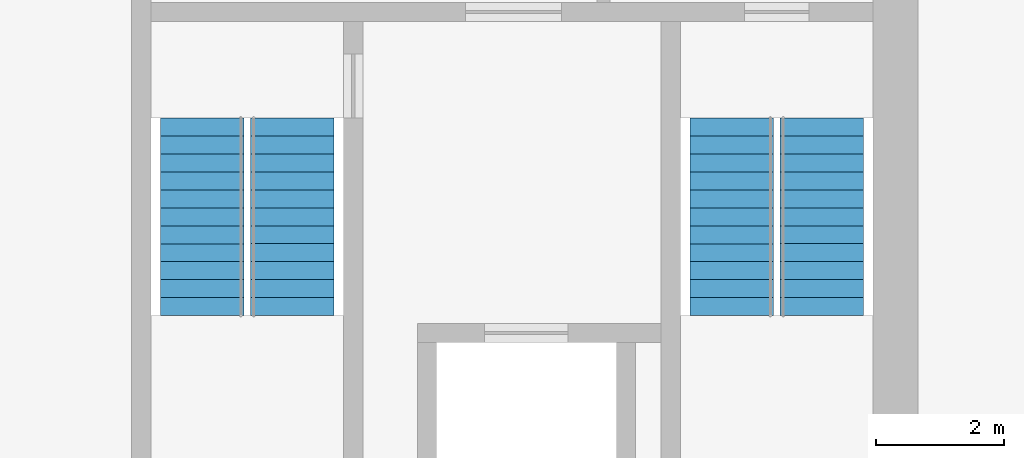
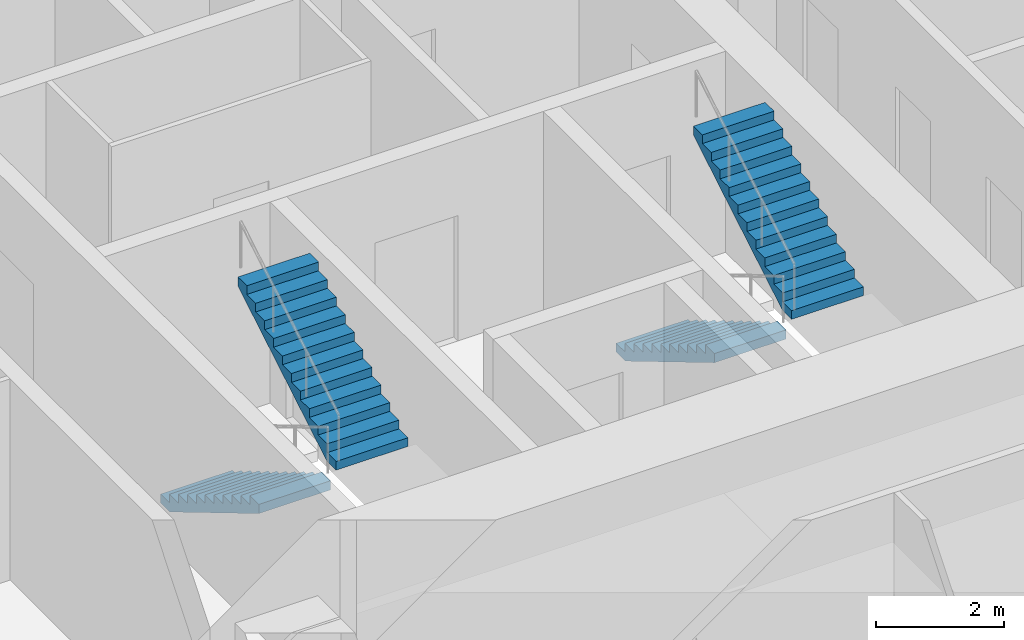
# One storey, part 13 of 15: 4 stair flights, 2 elements without a shape of their own.
"""IFC4 building model written with IfcOpenShell, lengths in metres."""

from ifc_helpers import new_model, si_unit, direction, frame, origin, place, context, subcontext, project, spatial, polyline, outline, extrude, material, type_object, element, aggregate, save


model = new_model("IFC4")

# Units and contexts
model_context = context("Model", 3, precision=1e-05, world=origin(), true_north=direction((0.0, 1.0)))
body_context = subcontext(model_context, "Body", "Model", "MODEL_VIEW")
ifc_project = project(units=[si_unit("LENGTHUNIT", "METRE"), si_unit("AREAUNIT", "SQUARE_METRE"), si_unit("VOLUMEUNIT", "CUBIC_METRE"), si_unit("PLANEANGLEUNIT", "RADIAN"), si_unit("MASSUNIT", "GRAM", prefix="KILO")], contexts=[model_context])

# Site, building, storey
site_placement = place(None, origin())
site = spatial("IfcSite", under=ifc_project, at=site_placement, CompositionType="ELEMENT")
building_placement = place(site_placement, origin())
building = spatial("IfcBuilding", under=site, at=building_placement, Name="Rimbunsela Tower", CompositionType="ELEMENT")
storey_placement = place(building_placement, frame((0.0, 0.0, 67.0)))
storey = spatial("IfcBuildingStorey", under=building, at=storey_placement, Name="L16", CompositionType="ELEMENT", Elevation=67.0)

# Stair, stair flights
ifc_material_1 = material(Name="Concrete fc' 35 MPa", Category="concrete")
stair_type = type_object("IfcStairType", Name="Exit stair 24 risers", PredefinedType="HALF_TURN_STAIR", material=ifc_material_1)
stair_1_placement = place(storey_placement, origin())
stair_1 = element("IfcStair", 1, at=stair_1_placement, inside=storey, type_object=stair_type, Name="Exit stair A L16", PredefinedType="HALF_TURN_STAIR")
ifc_material_2 = material(Name="Concrete fc' 35 MPa", Category="concrete")
stair_flight_type = type_object("IfcStairFlightType", Name="Stair flight 12 risers 167", PredefinedType="STRAIGHT", material=ifc_material_2)
stair_flight_1_placement = place(storey_placement, frame((24.949951171875, 24.89990234375, 0.0), z_axis=(0.0, 0.0, 1.0), x_axis=(0.0, -1.0, 0.0)))
stair_flight_1 = element("IfcStairFlight", 2, at=stair_flight_1_placement, type_object=stair_flight_type, Name="ST-A flight 1", NumberOfRisers=12, NumberOfTreads=11, PredefinedType="STRAIGHT", RiserHeight=0.166666667, TreadLength=0.28, context=body_context, shape_type="SweptSolid", body=[
    extrude(outline(polyline([(0.0, 0.0), (0.0, 0.166748046875), (0.280029296875, 0.166748046875), (0.280029296875, 0.333251953125), (0.56005859375, 0.333251953125), (0.56005859375, 0.5), (0.840087890625, 0.5), (0.840087890625, 0.666748046875), (1.1201171875, 0.666748046875), (1.1201171875, 0.833251953125), (1.39990234375, 0.833251953125), (1.39990234375, 1.0), (1.679931640625, 1.0), (1.679931640625, 1.166748046875), (1.9599609375, 1.166748046875), (1.9599609375, 1.333251953125), (2.239990234375, 1.333251953125), (2.239990234375, 1.5), (2.52001953125, 1.5), (2.52001953125, 1.666748046875), (2.800048828125, 1.666748046875), (2.800048828125, 1.833251953125), (3.080078125, 1.833251953125), (3.080078125, 2.0), (3.080078125, 1.658935546875), (0.29296875, 0.0), (0.0, 0.0)])), frame((0.0, 0.64990234375, 0.0), z_axis=(0.0, -1.0, 0.0), x_axis=(1.0, 0.0, 0.0)), (0.0, 0.0, 1.0), 1.300048828125),
])
stair_flight_2_placement = place(storey_placement, frame((26.35009765625, 21.820068359375, 2.0), z_axis=(0.0, 0.0, 1.0), x_axis=(0.0, 1.0, 0.0)))
stair_flight_2 = element("IfcStairFlight", 3, at=stair_flight_2_placement, type_object=stair_flight_type, Name="ST-A flight 2", NumberOfRisers=12, NumberOfTreads=11, PredefinedType="STRAIGHT", RiserHeight=0.166666667, TreadLength=0.28, context=body_context, shape_type="SweptSolid", body=[
    extrude(outline(polyline([(0.0, 0.0), (0.0, 0.166748046875), (0.280029296875, 0.166748046875), (0.280029296875, 0.333251953125), (0.56005859375, 0.333251953125), (0.56005859375, 0.5), (0.840087890625, 0.5), (0.840087890625, 0.666748046875), (1.1201171875, 0.666748046875), (1.1201171875, 0.833251953125), (1.39990234375, 0.833251953125), (1.39990234375, 1.0), (1.679931640625, 1.0), (1.679931640625, 1.166748046875), (1.9599609375, 1.166748046875), (1.9599609375, 1.333251953125), (2.239990234375, 1.333251953125), (2.239990234375, 1.5), (2.52001953125, 1.5), (2.52001953125, 1.666748046875), (2.800048828125, 1.666748046875), (2.800048828125, 1.833251953125), (3.080078125, 1.833251953125), (3.080078125, 2.0), (3.080078125, 1.658935546875), (0.29296875, 0.0), (0.0, 0.0)])), frame((0.0, 0.64990234375, 0.0), z_axis=(0.0, -1.0, 0.0), x_axis=(1.0, 0.0, 0.0)), (0.0, 0.0, 1.0), 1.300048828125),
])
aggregate(stair_1, [stair_flight_1, stair_flight_2])

stair_2_placement = place(storey_placement, origin())
stair_2 = element("IfcStair", 4, at=stair_2_placement, inside=storey, type_object=stair_type, Name="Exit stair B L16", PredefinedType="HALF_TURN_STAIR")
stair_flight_3_placement = place(storey_placement, frame((33.199951171875, 24.89990234375, 0.0), z_axis=(0.0, 0.0, 1.0), x_axis=(0.0, -1.0, 0.0)))
stair_flight_3 = element("IfcStairFlight", 5, at=stair_flight_3_placement, type_object=stair_flight_type, Name="ST-B flight 1", NumberOfRisers=12, NumberOfTreads=11, PredefinedType="STRAIGHT", RiserHeight=0.166666667, TreadLength=0.28, context=body_context, shape_type="SweptSolid", body=[
    extrude(outline(polyline([(0.0, 0.0), (0.0, 0.166748046875), (0.280029296875, 0.166748046875), (0.280029296875, 0.333251953125), (0.56005859375, 0.333251953125), (0.56005859375, 0.5), (0.840087890625, 0.5), (0.840087890625, 0.666748046875), (1.1201171875, 0.666748046875), (1.1201171875, 0.833251953125), (1.39990234375, 0.833251953125), (1.39990234375, 1.0), (1.679931640625, 1.0), (1.679931640625, 1.166748046875), (1.9599609375, 1.166748046875), (1.9599609375, 1.333251953125), (2.239990234375, 1.333251953125), (2.239990234375, 1.5), (2.52001953125, 1.5), (2.52001953125, 1.666748046875), (2.800048828125, 1.666748046875), (2.800048828125, 1.833251953125), (3.080078125, 1.833251953125), (3.080078125, 2.0), (3.080078125, 1.658935546875), (0.29296875, 0.0), (0.0, 0.0)])), frame((0.0, 0.64990234375, 0.0), z_axis=(0.0, -1.0, 0.0), x_axis=(1.0, 0.0, 0.0)), (0.0, 0.0, 1.0), 1.300048828125),
])
stair_flight_4_placement = place(storey_placement, frame((34.60009765625, 21.820068359375, 2.0), z_axis=(0.0, 0.0, 1.0), x_axis=(0.0, 1.0, 0.0)))
stair_flight_4 = element("IfcStairFlight", 6, at=stair_flight_4_placement, type_object=stair_flight_type, Name="ST-B flight 2", NumberOfRisers=12, NumberOfTreads=11, PredefinedType="STRAIGHT", RiserHeight=0.166666667, TreadLength=0.28, context=body_context, shape_type="SweptSolid", body=[
    extrude(outline(polyline([(0.0, 0.0), (0.0, 0.166748046875), (0.280029296875, 0.166748046875), (0.280029296875, 0.333251953125), (0.56005859375, 0.333251953125), (0.56005859375, 0.5), (0.840087890625, 0.5), (0.840087890625, 0.666748046875), (1.1201171875, 0.666748046875), (1.1201171875, 0.833251953125), (1.39990234375, 0.833251953125), (1.39990234375, 1.0), (1.679931640625, 1.0), (1.679931640625, 1.166748046875), (1.9599609375, 1.166748046875), (1.9599609375, 1.333251953125), (2.239990234375, 1.333251953125), (2.239990234375, 1.5), (2.52001953125, 1.5), (2.52001953125, 1.666748046875), (2.800048828125, 1.666748046875), (2.800048828125, 1.833251953125), (3.080078125, 1.833251953125), (3.080078125, 2.0), (3.080078125, 1.658935546875), (0.29296875, 0.0), (0.0, 0.0)])), frame((0.0, 0.64990234375, 0.0), z_axis=(0.0, -1.0, 0.0), x_axis=(1.0, 0.0, 0.0)), (0.0, 0.0, 1.0), 1.300048828125),
])
aggregate(stair_2, [stair_flight_3, stair_flight_4])

save(model, "model.ifc")
